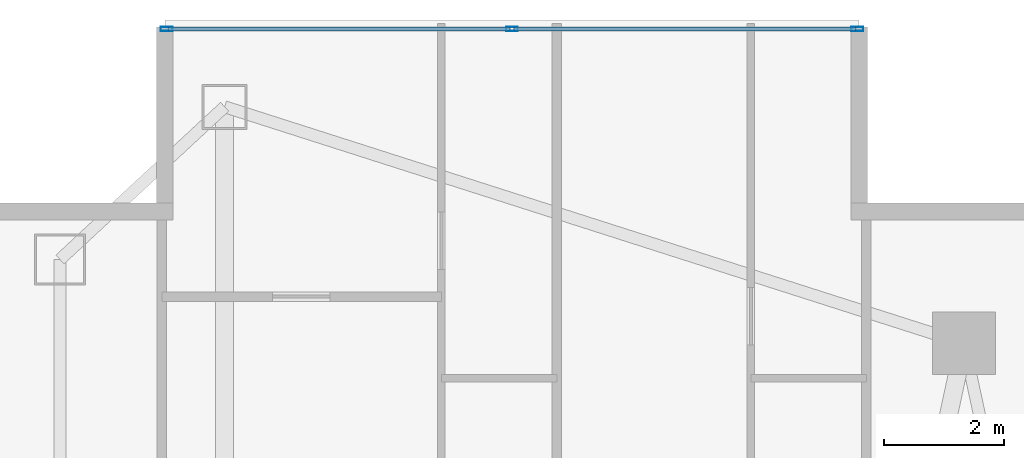
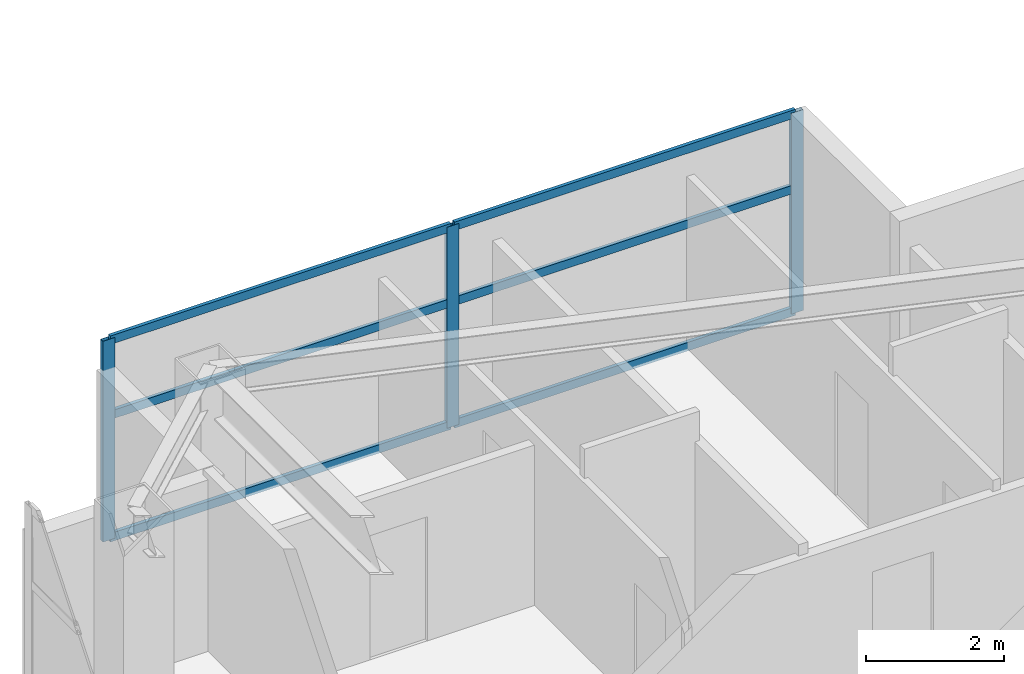
# One storey, part 19 of 28: 9 members, 1 element without a shape of its own.
"""IFC4 building model written with IfcOpenShell, lengths in metres."""

from ifc_helpers import new_model, si_unit, direction, frame, origin, origin_2d, place, context, subcontext, project, spatial, hollow_rectangle, extrude, material, layer, layer_set, material_profile, profile_set, type_object, element, aggregate, save


model = new_model("IFC4")

# Units and contexts
model_context = context("Model", 3, precision=1e-05, world=origin(), true_north=direction((0.0, 1.0)))
body_context = subcontext(model_context, "Body", "Model", "MODEL_VIEW")
ifc_project = project(units=[si_unit("LENGTHUNIT", "METRE"), si_unit("AREAUNIT", "SQUARE_METRE"), si_unit("VOLUMEUNIT", "CUBIC_METRE"), si_unit("PLANEANGLEUNIT", "RADIAN"), si_unit("MASSUNIT", "GRAM", prefix="KILO")], contexts=[model_context])

# Site, building, storey
site_placement = place(None, origin())
site = spatial("IfcSite", under=ifc_project, at=site_placement, CompositionType="ELEMENT")
building_placement = place(site_placement, origin())
building = spatial("IfcBuilding", under=site, at=building_placement, Name="Calvorn Quay Hotel", CompositionType="ELEMENT")
storey_placement = place(building_placement, frame((0.0, 0.0, 108.800048828125)))
storey = spatial("IfcBuildingStorey", under=building, at=storey_placement, Name="L26", CompositionType="ELEMENT", Elevation=108.800048828125)

# Curtain wall, members
ifc_material_1 = material(Name="Pale Anodised Aluminium and Low-E Glass", Category="aluminium")
ifc_layer = layer(ifc_material_1, 0.219970703125)
ifc_layer_set = layer_set([ifc_layer], Name="CW-SYS-Z2")
curtain_wall_type = type_object("IfcCurtainWallType", Name="CW-SYS-Z2", PredefinedType="NOTDEFINED", material=ifc_layer_set)
curtain_wall_placement = place(storey_placement, origin())
curtain_wall = element("IfcCurtainWall", 1, at=curtain_wall_placement, inside=storey, type_object=curtain_wall_type, Name="Inner Court Curtain Wall L26-N1", PredefinedType="NOTDEFINED")
ifc_material_2 = material(Name="Pale Anodised Aluminium 6063-T6", Category="aluminium")
ifc_material_profile_1 = material_profile(ifc_material_2, hollow_rectangle(XDim=0.070068359375, YDim=0.199951171875, WallThickness=0.00390625, at=origin_2d()), Name="ALU-M200x70x4")
ifc_profile_set_1 = profile_set([ifc_material_profile_1], Name="Pale Anodised Aluminium 6063-T6")
member_type_1 = type_object("IfcMemberType", Name="CW-SYS-Z2-MUL", PredefinedType="MULLION", material=ifc_profile_set_1)
member_1_placement = place(storey_placement, frame((14.77001953125, 50.85009765625, 0.0), z_axis=(0.0, 0.0, 1.0), x_axis=(0.0, -1.0, 0.0)))
member_1 = element("IfcMember", 2, at=member_1_placement, type_object=member_type_1, Name="CW-L26-N1 mullion 1", PredefinedType="MULLION", context=body_context, shape_type="SweptSolid", body=[
    extrude(hollow_rectangle(XDim=0.070068359375, YDim=0.199951171875, WallThickness=0.00390625, at=origin_2d()), origin(), (0.0, 0.0, 1.0), 3.56005859375),
])
member_2_placement = place(storey_placement, frame((9.0, 50.85009765625, 0.0), z_axis=(0.0, 0.0, 1.0), x_axis=(0.0, -1.0, 0.0)))
member_2 = element("IfcMember", 3, at=member_2_placement, type_object=member_type_1, Name="CW-L26-N1 mullion 2", PredefinedType="MULLION", context=body_context, shape_type="SweptSolid", body=[
    extrude(hollow_rectangle(XDim=0.070068359375, YDim=0.199951171875, WallThickness=0.00390625, at=origin_2d()), origin(), (0.0, 0.0, 1.0), 3.56005859375),
])
member_3_placement = place(storey_placement, frame((3.22998046875, 50.85009765625, 0.0), z_axis=(0.0, 0.0, 1.0), x_axis=(0.0, -1.0, 0.0)))
member_3 = element("IfcMember", 4, at=member_3_placement, type_object=member_type_1, Name="CW-L26-N1 mullion 3", PredefinedType="MULLION", context=body_context, shape_type="SweptSolid", body=[
    extrude(hollow_rectangle(XDim=0.070068359375, YDim=0.199951171875, WallThickness=0.00390625, at=origin_2d()), origin(), (0.0, 0.0, 1.0), 3.56005859375),
])
ifc_material_3 = material(Name="Pale Anodised Aluminium 6063-T6", Category="aluminium")
ifc_material_profile_2 = material_profile(ifc_material_3, hollow_rectangle(XDim=0.06005859375, YDim=0.14990234375, WallThickness=0.00341796875, at=origin_2d()), Name="ALU-T150x60x3.5")
ifc_profile_set_2 = profile_set([ifc_material_profile_2], Name="Pale Anodised Aluminium 6063-T6")
member_type_2 = type_object("IfcMemberType", Name="CW-SYS-Z2-TRN", PredefinedType="USERDEFINED", material=ifc_profile_set_2)
member_4_placement = place(storey_placement, frame((14.739990234375, 50.85009765625, 0.030029296875), z_axis=(-1.0, 0.0, 0.0), x_axis=(0.0, -1.0, 0.0)))
member_4 = element("IfcMember", 5, at=member_4_placement, type_object=member_type_2, Name="CW-L26-N1 transom 1.1", ObjectType="TRANSOM", PredefinedType="USERDEFINED", context=body_context, shape_type="SweptSolid", body=[
    extrude(hollow_rectangle(XDim=0.06005859375, YDim=0.14990234375, WallThickness=0.00341796875, at=origin_2d()), origin(), (0.0, 0.0, 1.0), 5.7099609375),
])
member_5_placement = place(storey_placement, frame((14.739990234375, 50.85009765625, 2.199951171875), z_axis=(-1.0, 0.0, 0.0), x_axis=(0.0, -1.0, 0.0)))
member_5 = element("IfcMember", 6, at=member_5_placement, type_object=member_type_2, Name="CW-L26-N1 transom 1.2", ObjectType="TRANSOM", PredefinedType="USERDEFINED", context=body_context, shape_type="SweptSolid", body=[
    extrude(hollow_rectangle(XDim=0.06005859375, YDim=0.14990234375, WallThickness=0.00341796875, at=origin_2d()), origin(), (0.0, 0.0, 1.0), 5.7099609375),
])
member_6_placement = place(storey_placement, frame((14.739990234375, 50.85009765625, 3.530029296875), z_axis=(-1.0, 0.0, 0.0), x_axis=(0.0, -1.0, 0.0)))
member_6 = element("IfcMember", 7, at=member_6_placement, type_object=member_type_2, Name="CW-L26-N1 transom 1.3", ObjectType="TRANSOM", PredefinedType="USERDEFINED", context=body_context, shape_type="SweptSolid", body=[
    extrude(hollow_rectangle(XDim=0.06005859375, YDim=0.14990234375, WallThickness=0.00341796875, at=origin_2d()), origin(), (0.0, 0.0, 1.0), 5.7099609375),
])
member_7_placement = place(storey_placement, frame((8.969970703125, 50.85009765625, 0.030029296875), z_axis=(-1.0, 0.0, 0.0), x_axis=(0.0, -1.0, 0.0)))
member_7 = element("IfcMember", 8, at=member_7_placement, type_object=member_type_2, Name="CW-L26-N1 transom 2.1", ObjectType="TRANSOM", PredefinedType="USERDEFINED", context=body_context, shape_type="SweptSolid", body=[
    extrude(hollow_rectangle(XDim=0.06005859375, YDim=0.14990234375, WallThickness=0.00341796875, at=origin_2d()), origin(), (0.0, 0.0, 1.0), 5.7099609375),
])
member_8_placement = place(storey_placement, frame((8.969970703125, 50.85009765625, 2.199951171875), z_axis=(-1.0, 0.0, 0.0), x_axis=(0.0, -1.0, 0.0)))
member_8 = element("IfcMember", 9, at=member_8_placement, type_object=member_type_2, Name="CW-L26-N1 transom 2.2", ObjectType="TRANSOM", PredefinedType="USERDEFINED", context=body_context, shape_type="SweptSolid", body=[
    extrude(hollow_rectangle(XDim=0.06005859375, YDim=0.14990234375, WallThickness=0.00341796875, at=origin_2d()), origin(), (0.0, 0.0, 1.0), 5.7099609375),
])
member_9_placement = place(storey_placement, frame((8.969970703125, 50.85009765625, 3.530029296875), z_axis=(-1.0, 0.0, 0.0), x_axis=(0.0, -1.0, 0.0)))
member_9 = element("IfcMember", 10, at=member_9_placement, type_object=member_type_2, Name="CW-L26-N1 transom 2.3", ObjectType="TRANSOM", PredefinedType="USERDEFINED", context=body_context, shape_type="SweptSolid", body=[
    extrude(hollow_rectangle(XDim=0.06005859375, YDim=0.14990234375, WallThickness=0.00341796875, at=origin_2d()), origin(), (0.0, 0.0, 1.0), 5.7099609375),
])
aggregate(curtain_wall, [member_1, member_2, member_3, member_4, member_5, member_6, member_7, member_8, member_9])

save(model, "model.ifc")
